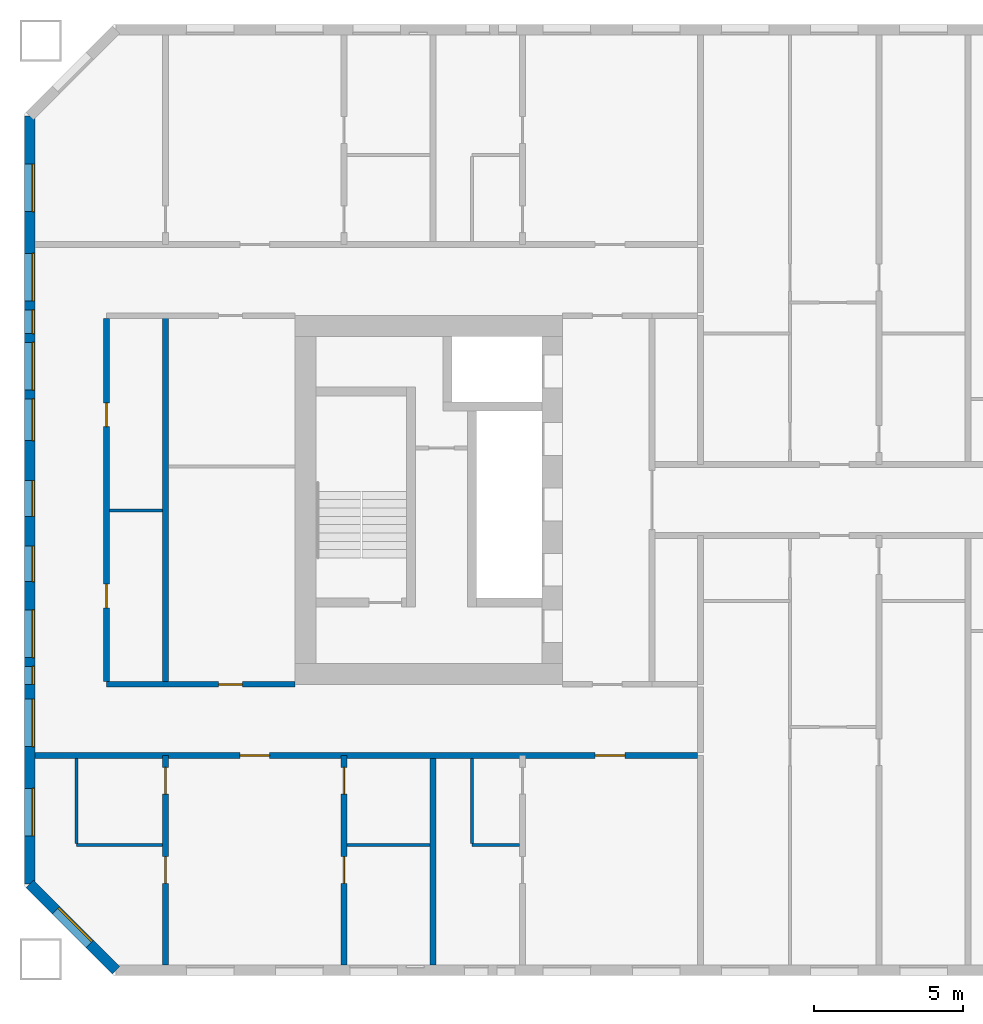
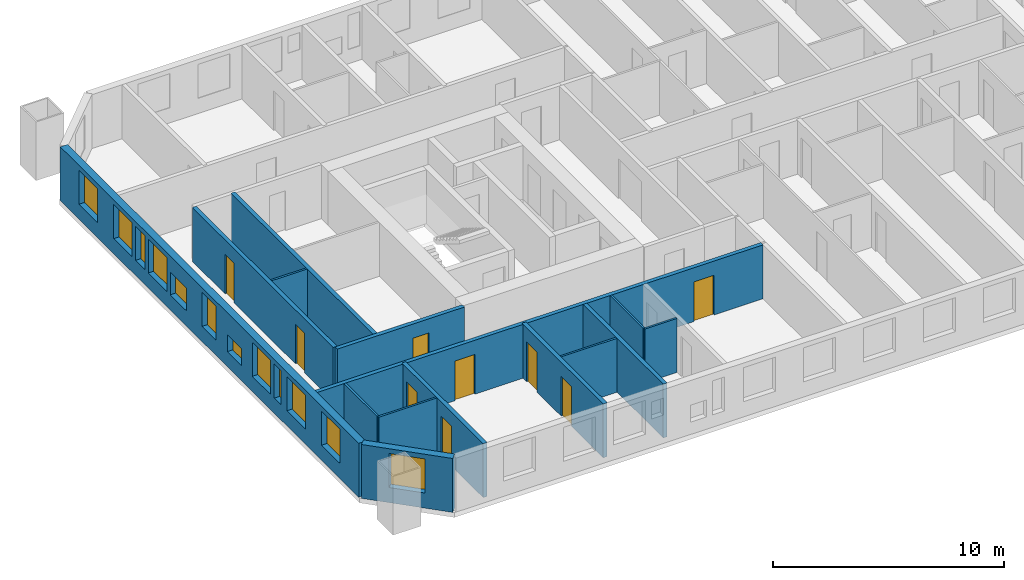
# One storey, part 2 of 17: 15 walls, 12 windows, 9 doors, 21 openings.
"""IFC4 building model written with IfcOpenShell, lengths in metres."""

import ifcopenshell
import ifcopenshell.guid

model = None  # the IFC model being written
_history = None  # IfcOwnerHistory: only IFC2X3 demands one
_inside = {}  # id of a spatial element -> (the spatial element, [elements in it])
_under = {}  # id of a project, library or spatial element -> (it, [spatial elements below it])
_declared = {}  # id of a project -> (the project, [libraries it declares])
_typed = {}  # id of a type object -> (the type object, [elements of that type])
_made_of = {}  # id of a material, layer set ... -> (it, [elements and type objects made of it])


def new_model(schema):
    """Start an empty IFC model of exactly this schema.

    Asked for "IFC4X3", IfcOpenShell would pick the latest addendum, in which some entities
    have other attributes; the version numbers below select the first issue.
    IFC2X3 requires an IfcOwnerHistory on every rooted entity: one is made here for all.
    """
    global model, _history
    if schema == "IFC4X3":
        model = ifcopenshell.file(schema_version=(4, 3, 0, 0))
    else:
        model = ifcopenshell.file(schema=schema)
    _inside.clear()
    _under.clear()
    _declared.clear()
    _typed.clear()
    _made_of.clear()
    _history = None
    if model.schema == "IFC2X3":
        org = make("IfcOrganization", Name="unknown")
        user = make(
            "IfcPersonAndOrganization",
            ThePerson=make("IfcPerson", FamilyName="unknown"),
            TheOrganization=org,
        )
        app = make(
            "IfcApplication",
            ApplicationDeveloper=org,
            Version="unknown",
            ApplicationFullName="unknown",
            ApplicationIdentifier="unknown",
        )
        _history = make(
            "IfcOwnerHistory",
            OwningUser=user,
            OwningApplication=app,
            ChangeAction="ADDED",
            CreationDate=0,
        )
    return model


def make(cls, **values):
    """One entity of the class cls with the attributes given. An attribute that is None is left unset."""
    return model.create_entity(
        cls, **{name: value for name, value in values.items() if value is not None}
    )


def rooted(cls, **values):
    """An entity with a GlobalId (a new one), such as an element, a storey or a relation."""
    return make(cls, GlobalId=ifcopenshell.guid.new(), OwnerHistory=_history, **values)


def si_unit(unit_type, name, prefix=None):
    """IfcSIUnit, for example si_unit("LENGTHUNIT", "METRE", prefix="MILLI")."""
    return make("IfcSIUnit", UnitType=unit_type, Prefix=prefix, Name=name)


def assignment(units):
    """IfcUnitAssignment: the units of a project."""
    return None if units is None else make("IfcUnitAssignment", Units=units)


def point(xyz):
    """IfcCartesianPoint."""
    return None if xyz is None else make("IfcCartesianPoint", Coordinates=xyz)


def direction(xyz):
    """IfcDirection."""
    return None if xyz is None else make("IfcDirection", DirectionRatios=xyz)


def frame(location, z_axis=None, x_axis=None):
    """IfcAxis2Placement3D, a coordinate frame: its origin and axes. An axis left out is left unset."""
    return make(
        "IfcAxis2Placement3D",
        Location=point(location),
        Axis=direction(z_axis),
        RefDirection=direction(x_axis),
    )


def frame_2d(location, x_axis=None):
    """IfcAxis2Placement2D, a coordinate frame in the plane: its origin and x axis."""
    return make(
        "IfcAxis2Placement2D", Location=point(location), RefDirection=direction(x_axis)
    )


def origin():
    """The frame at (0, 0, 0) with its axes left unset."""
    return frame((0.0, 0.0, 0.0))


def place(relative_to, where):
    """IfcLocalPlacement: puts the frame where relative to a parent placement (None: the world)."""
    return make(
        "IfcLocalPlacement", PlacementRelTo=relative_to, RelativePlacement=where
    )


def context(
    kind, dimensions, precision=None, world=None, true_north=None, identifier=None
):
    """IfcGeometricRepresentationContext, for example the 3D "Model" context."""
    return make(
        "IfcGeometricRepresentationContext",
        ContextIdentifier=identifier,
        ContextType=kind,
        CoordinateSpaceDimension=dimensions,
        Precision=precision,
        WorldCoordinateSystem=world,
        TrueNorth=true_north,
    )


def subcontext(parent, identifier, kind, view, scale=None):
    """IfcGeometricRepresentationSubContext, for example "Body" below "Model"."""
    return make(
        "IfcGeometricRepresentationSubContext",
        ContextIdentifier=identifier,
        ContextType=kind,
        ParentContext=parent,
        TargetScale=scale,
        TargetView=view,
    )


def project(units=None, contexts=None):
    """IfcProject with its units and contexts."""
    return rooted(
        "IfcProject",
        Name="project",
        RepresentationContexts=contexts,
        UnitsInContext=assignment(units),
    )


def spatial(cls, under=None, at=None, **own):
    """A site, building, storey or space (cls), placed at a placement, below another one or the project."""
    s = rooted(cls, ObjectPlacement=at, **own)
    if under is not None:
        _under.setdefault(under.id(), (under, []))[1].append(s)
    return s


def profile(cls, at=None, kind="AREA", **sizes):
    """A parametric profile (cls). Its sizes go by their IFC names, for example OverallWidth=200.0."""
    return make(cls, ProfileType=kind, Position=at, **sizes)


def rectangle(**sizes):
    """IfcRectangleProfileDef."""
    return profile("IfcRectangleProfileDef", **sizes)


def extrude(swept, where, along, depth):
    """IfcExtrudedAreaSolid: the profile swept, set in the frame where, extruded along a direction by depth."""
    return make(
        "IfcExtrudedAreaSolid",
        SweptArea=swept,
        Position=where,
        ExtrudedDirection=direction(along),
        Depth=depth,
    )


def shape(context_of_items, identifier, shape_type, items):
    """IfcShapeRepresentation: the items that make up one representation, for example the "Body"."""
    return make(
        "IfcShapeRepresentation",
        ContextOfItems=context_of_items,
        RepresentationIdentifier=identifier,
        RepresentationType=shape_type,
        Items=items,
    )


def material(Name=None, Category=None):
    """IfcMaterial."""
    return make("IfcMaterial", Name=Name, Category=Category)


def layer(
    of_material, thickness, ventilated=None, Name=None, Category=None, Priority=None
):
    """IfcMaterialLayer: one layer of a wall or slab, of a material (None: an air gap)."""
    return make(
        "IfcMaterialLayer",
        Material=of_material,
        LayerThickness=thickness,
        IsVentilated=ventilated,
        Name=Name,
        Category=Category,
        Priority=Priority,
    )


def layer_set(layers, Name=None):
    """IfcMaterialLayerSet."""
    return make("IfcMaterialLayerSet", MaterialLayers=layers, LayerSetName=Name)


def made_of(thing, what):
    """Note that an element or type object is made of a material, layer set ...; save() writes the relation."""
    if what is not None:
        _made_of.setdefault(what.id(), (what, []))[1].append(thing)
    return thing


def type_object(cls, material=None, **own):
    """A type object (cls), such as IfcWallType, which elements share."""
    return made_of(rooted(cls, **own), material)


def element(
    cls,
    number,
    at=None,
    inside=None,
    cuts=None,
    type_object=None,
    material=None,
    context=None,
    identifier="Body",
    shape_type=None,
    held_by="IfcProductDefinitionShape",
    body=None,
    shapes=None,
    **own,
):
    """One element of the class cls, such as IfcWall. Its Tag is "e" and its number.

    at: its placement. inside: the storey or other place that contains it. cuts: it is an
    opening in that element (IfcRelVoidsElement). A single representation is given by context,
    identifier, shape_type and body (its items); several are given by shapes. held_by: the class
    of the entity that holds the representations. save() writes the other relations.
    """
    e = rooted(cls, Tag="e%d" % number, ObjectPlacement=at, **own)
    if body is not None:
        shapes = [shape(context, identifier, shape_type, body)]
    if shapes is not None:
        e.Representation = make(held_by, Representations=shapes)
    if inside is not None:
        _inside.setdefault(inside.id(), (inside, []))[1].append(e)
    if cuts is not None:
        rooted(
            "IfcRelVoidsElement", RelatingBuildingElement=cuts, RelatedOpeningElement=e
        )
    if type_object is not None:
        _typed.setdefault(type_object.id(), (type_object, []))[1].append(e)
    return made_of(e, material)


def fill(opening, filler):
    """IfcRelFillsElement: the door or window that sits in an opening."""
    return rooted(
        "IfcRelFillsElement",
        RelatingOpeningElement=opening,
        RelatedBuildingElement=filler,
    )


def aggregate(whole, parts):
    """IfcRelAggregates: a whole, such as a stair, and the parts it consists of."""
    return rooted("IfcRelAggregates", RelatingObject=whole, RelatedObjects=parts)


def save(model, path):
    """Write the relations noted so far, then the file.

    IfcRelAggregates (storeys below a building ...), IfcRelContainedInSpatialStructure (elements
    in a storey), IfcRelDefinesByType, IfcRelAssociatesMaterial and IfcRelDeclares: one each for
    every whole, place, type object, material and project.
    """
    for whole, parts in _under.values():
        aggregate(whole, parts)
    for where, things in _inside.values():
        rooted(
            "IfcRelContainedInSpatialStructure",
            RelatedElements=things,
            RelatingStructure=where,
        )
    for kind, things in _typed.values():
        rooted("IfcRelDefinesByType", RelatedObjects=things, RelatingType=kind)
    for what, things in _made_of.values():
        rooted("IfcRelAssociatesMaterial", RelatedObjects=things, RelatingMaterial=what)
    for by, libraries in _declared.values():
        rooted("IfcRelDeclares", RelatingContext=by, RelatedDefinitions=libraries)
    model.write(path)


model = new_model("IFC4")

# Units and contexts
model_context = context("Model", 3, precision=1e-05, world=origin(), true_north=direction((0.0, 1.0)))
body_context = subcontext(model_context, "Body", "Model", "MODEL_VIEW")
ifc_project = project(units=[si_unit("LENGTHUNIT", "METRE"), si_unit("AREAUNIT", "SQUARE_METRE"), si_unit("VOLUMEUNIT", "CUBIC_METRE"), si_unit("PLANEANGLEUNIT", "RADIAN"), si_unit("MASSUNIT", "GRAM", prefix="KILO")], contexts=[model_context])

# Site, building, storey
site_placement = place(None, origin())
site = spatial("IfcSite", under=ifc_project, at=site_placement, CompositionType="ELEMENT")
building_placement = place(site_placement, origin())
building = spatial("IfcBuilding", under=site, at=building_placement, Name="Tuart Gate Housing", CompositionType="ELEMENT")
storey_placement = place(building_placement, frame((0.0, 0.0, 77.800048828125)))
storey = spatial("IfcBuildingStorey", under=building, at=storey_placement, Name="L21", CompositionType="ELEMENT", Elevation=77.800048828125)

# Wall, opening, window
ifc_material_1 = material(Name="Brick", Category="masonry")
ifc_layer_1 = layer(ifc_material_1, 0.360107421875)
ifc_layer_set_1 = layer_set([ifc_layer_1], Name="Brick pier and spandrel wall 360")
wall_type_1 = type_object("IfcWallType", Name="Brick pier and spandrel wall 360", PredefinedType="STANDARD", material=ifc_layer_set_1)
wall_1_placement = place(storey_placement, frame((23.429931640625, 57.07470703125, 0.0), z_axis=(0.0, 0.0, 1.0), x_axis=(0.707106781187, -0.707106781187, 0.0)))
wall_1 = element("IfcWall", 1, at=wall_1_placement, inside=storey, type_object=wall_type_1, Name="External wall A-SW L21", PredefinedType="STANDARD", context=body_context, shape_type="SweptSolid", body=[
    extrude(rectangle(XDim=4.09375, YDim=0.360107421875, at=frame_2d((2.046875, 0.0))), origin(), (0.0, 0.0, 1.0), 2.849853515625),
])
opening_1_placement = place(wall_1_placement, frame((1.2470703125, 0.0, 0.800048828125)))
opening_1 = element("IfcOpeningElement", 2, at=opening_1_placement, cuts=wall_1, Name="Opening W1", PredefinedType="OPENING", context=body_context, shape_type="SweptSolid", body=[
    extrude(rectangle(XDim=1.60009765625, YDim=1.800048828125, at=frame_2d((0.800048828125, 0.89990234375))), frame((0.0, 0.18994140625, 0.0), z_axis=(0.0, -1.0, 0.0), x_axis=(1.0, 0.0, 0.0)), (0.0, 0.0, 1.0), 0.380126953125),
])
ifc_material_2 = material(Name="Aluminium frame with clear glass", Category="aluminium")
window_type_1 = type_object("IfcWindowType", Name="Punched window 1600 x 1800", PartitioningType="SINGLE_PANEL", PredefinedType="WINDOW", material=ifc_material_2)
window_1_placement = place(opening_1_placement, origin())
window_1 = element("IfcWindow", 3, at=window_1_placement, inside=storey, type_object=window_type_1, Name="Window W1", OverallHeight=1.800048828125, OverallWidth=1.60009765625, PartitioningType="SINGLE_PANEL", PredefinedType="WINDOW", context=body_context, shape_type="SweptSolid", body=[
    extrude(rectangle(XDim=1.60009765625, YDim=1.800048828125, at=frame_2d((0.800048828125, 0.89990234375))), frame((0.0, 0.150146484375, 0.0), z_axis=(0.0, -1.0, 0.0), x_axis=(1.0, 0.0, 0.0)), (0.0, 0.0, 1.0), 0.06005859375),
])
fill(opening_1, window_1)

# Wall, openings, windows
wall_2_placement = place(storey_placement, frame((23.429931640625, 82.92529296875, 0.0), z_axis=(0.0, 0.0, 1.0), x_axis=(0.0, -1.0, 0.0)))
wall_2 = element("IfcWall", 4, at=wall_2_placement, inside=storey, type_object=wall_type_1, Name="External wall A-W L21", PredefinedType="STANDARD", context=body_context, shape_type="SweptSolid", body=[
    extrude(rectangle(XDim=25.850830078125, YDim=0.360107421875, at=frame_2d((12.92529296875, 0.0))), origin(), (0.0, 0.0, 1.0), 2.849853515625),
])
opening_2_placement = place(wall_2_placement, frame((1.62548828125, 0.0, 0.800048828125)))
opening_2 = element("IfcOpeningElement", 5, at=opening_2_placement, cuts=wall_2, Name="Opening W1", PredefinedType="OPENING", context=body_context, shape_type="SweptSolid", body=[
    extrude(rectangle(XDim=1.60009765625, YDim=1.800048828125, at=frame_2d((0.800048828125, 0.89990234375))), frame((0.0, 0.18994140625, 0.0), z_axis=(0.0, -1.0, 0.0), x_axis=(1.0, 0.0, 0.0)), (0.0, 0.0, 1.0), 0.380126953125),
])
opening_3_placement = place(wall_2_placement, frame((4.62548828125, 0.0, 0.800048828125)))
opening_3 = element("IfcOpeningElement", 6, at=opening_3_placement, cuts=wall_2, Name="Opening W1", PredefinedType="OPENING", context=body_context, shape_type="SweptSolid", body=[
    extrude(rectangle(XDim=1.60009765625, YDim=1.800048828125, at=frame_2d((0.800048828125, 0.89990234375))), frame((0.0, 0.18994140625, 0.0), z_axis=(0.0, -1.0, 0.0), x_axis=(1.0, 0.0, 0.0)), (0.0, 0.0, 1.0), 0.380126953125),
])
opening_4_placement = place(wall_2_placement, frame((7.62548828125, 0.0, 0.800048828125)))
opening_4 = element("IfcOpeningElement", 7, at=opening_4_placement, cuts=wall_2, Name="Opening W1", PredefinedType="OPENING", context=body_context, shape_type="SweptSolid", body=[
    extrude(rectangle(XDim=1.60009765625, YDim=1.800048828125, at=frame_2d((0.800048828125, 0.89990234375))), frame((0.0, 0.18994140625, 0.0), z_axis=(0.0, -1.0, 0.0), x_axis=(1.0, 0.0, 0.0)), (0.0, 0.0, 1.0), 0.380126953125),
])
opening_5_placement = place(wall_2_placement, frame((6.525390625, 0.0, 0.800048828125)))
opening_5 = element("IfcOpeningElement", 8, at=opening_5_placement, cuts=wall_2, Name="Opening W1D", PredefinedType="OPENING", context=body_context, shape_type="SweptSolid", body=[
    extrude(rectangle(XDim=0.800048828125, YDim=1.800048828125, at=frame_2d((0.39990234375, 0.89990234375))), frame((0.0, 0.18994140625, 0.0), z_axis=(0.0, -1.0, 0.0), x_axis=(1.0, 0.0, 0.0)), (0.0, 0.0, 1.0), 0.380126953125),
])
opening_6_placement = place(wall_2_placement, frame((9.525390625, 0.0, 0.800048828125)))
opening_6 = element("IfcOpeningElement", 9, at=opening_6_placement, cuts=wall_2, Name="Opening W1M", PredefinedType="OPENING", context=body_context, shape_type="SweptSolid", body=[
    extrude(rectangle(XDim=1.39990234375, YDim=1.199951171875, at=frame_2d((0.699951171875, 0.60009765625))), frame((0.0, 0.18994140625, 0.0), z_axis=(0.0, -1.0, 0.0), x_axis=(1.0, 0.0, 0.0)), (0.0, 0.0, 1.0), 0.380126953125),
])
opening_7_placement = place(wall_2_placement, frame((16.62548828125, 0.0, 0.800048828125)))
opening_7 = element("IfcOpeningElement", 10, at=opening_7_placement, cuts=wall_2, Name="Opening W1", PredefinedType="OPENING", context=body_context, shape_type="SweptSolid", body=[
    extrude(rectangle(XDim=1.60009765625, YDim=1.800048828125, at=frame_2d((0.800048828125, 0.89990234375))), frame((0.0, 0.18994140625, 0.0), z_axis=(0.0, -1.0, 0.0), x_axis=(1.0, 0.0, 0.0)), (0.0, 0.0, 1.0), 0.380126953125),
])
opening_8_placement = place(wall_2_placement, frame((19.62548828125, 0.0, 0.800048828125)))
opening_8 = element("IfcOpeningElement", 11, at=opening_8_placement, cuts=wall_2, Name="Opening W1", PredefinedType="OPENING", context=body_context, shape_type="SweptSolid", body=[
    extrude(rectangle(XDim=1.60009765625, YDim=1.800048828125, at=frame_2d((0.800048828125, 0.89990234375))), frame((0.0, 0.18994140625, 0.0), z_axis=(0.0, -1.0, 0.0), x_axis=(1.0, 0.0, 0.0)), (0.0, 0.0, 1.0), 0.380126953125),
])
opening_9_placement = place(wall_2_placement, frame((22.62548828125, 0.0, 0.800048828125)))
opening_9 = element("IfcOpeningElement", 12, at=opening_9_placement, cuts=wall_2, Name="Opening W1", PredefinedType="OPENING", context=body_context, shape_type="SweptSolid", body=[
    extrude(rectangle(XDim=1.60009765625, YDim=1.800048828125, at=frame_2d((0.800048828125, 0.89990234375))), frame((0.0, 0.18994140625, 0.0), z_axis=(0.0, -1.0, 0.0), x_axis=(1.0, 0.0, 0.0)), (0.0, 0.0, 1.0), 0.380126953125),
])
opening_10_placement = place(wall_2_placement, frame((12.275390625, 0.0, 0.800048828125)))
opening_10 = element("IfcOpeningElement", 13, at=opening_10_placement, cuts=wall_2, Name="Opening W1B", PredefinedType="OPENING", context=body_context, shape_type="SweptSolid", body=[
    extrude(rectangle(XDim=1.199951171875, YDim=1.800048828125, at=frame_2d((0.60009765625, 0.89990234375))), frame((0.0, 0.18994140625, 0.0), z_axis=(0.0, -1.0, 0.0), x_axis=(1.0, 0.0, 0.0)), (0.0, 0.0, 1.0), 0.380126953125),
])
opening_11_placement = place(wall_2_placement, frame((14.475341796875, 0.0, 0.800048828125)))
opening_11 = element("IfcOpeningElement", 14, at=opening_11_placement, cuts=wall_2, Name="Opening W1T", PredefinedType="OPENING", context=body_context, shape_type="SweptSolid", body=[
    extrude(rectangle(XDim=1.199951171875, YDim=0.89990234375, at=frame_2d((0.60009765625, 0.449951171875))), frame((0.0, 0.18994140625, 0.0), z_axis=(0.0, -1.0, 0.0), x_axis=(1.0, 0.0, 0.0)), (0.0, 0.0, 1.0), 0.380126953125),
])
opening_12_placement = place(wall_2_placement, frame((18.525390625, 0.0, 0.800048828125)))
opening_12 = element("IfcOpeningElement", 15, at=opening_12_placement, cuts=wall_2, Name="Opening W1E", PredefinedType="OPENING", context=body_context, shape_type="SweptSolid", body=[
    extrude(rectangle(XDim=0.60009765625, YDim=1.800048828125, at=frame_2d((0.300048828125, 0.89990234375))), frame((0.0, 0.18994140625, 0.0), z_axis=(0.0, -1.0, 0.0), x_axis=(1.0, 0.0, 0.0)), (0.0, 0.0, 1.0), 0.380126953125),
])
ifc_material_3 = material(Name="Aluminium frame with clear glass", Category="aluminium")
window_type_2 = type_object("IfcWindowType", Name="Punched window 1200 x 1800", PartitioningType="SINGLE_PANEL", PredefinedType="WINDOW", material=ifc_material_3)
window_2_placement = place(opening_10_placement, origin())
window_2 = element("IfcWindow", 16, at=window_2_placement, inside=storey, type_object=window_type_2, Name="Window W1B", OverallHeight=1.800048828125, OverallWidth=1.199951171875, PartitioningType="SINGLE_PANEL", PredefinedType="WINDOW", context=body_context, shape_type="SweptSolid", body=[
    extrude(rectangle(XDim=1.199951171875, YDim=1.800048828125, at=frame_2d((0.60009765625, 0.89990234375))), frame((0.0, 0.150146484375, 0.0), z_axis=(0.0, -1.0, 0.0), x_axis=(1.0, 0.0, 0.0)), (0.0, 0.0, 1.0), 0.06005859375),
])
fill(opening_10, window_2)
ifc_material_4 = material(Name="Aluminium frame with clear glass", Category="aluminium")
window_type_3 = type_object("IfcWindowType", Name="Punched window 1200 x 900", PartitioningType="SINGLE_PANEL", PredefinedType="WINDOW", material=ifc_material_4)
window_3_placement = place(opening_11_placement, origin())
window_3 = element("IfcWindow", 17, at=window_3_placement, inside=storey, type_object=window_type_3, Name="Window W1T", OverallHeight=0.89990234375, OverallWidth=1.199951171875, PartitioningType="SINGLE_PANEL", PredefinedType="WINDOW", context=body_context, shape_type="SweptSolid", body=[
    extrude(rectangle(XDim=1.199951171875, YDim=0.89990234375, at=frame_2d((0.60009765625, 0.449951171875))), frame((0.0, 0.150146484375, 0.0), z_axis=(0.0, -1.0, 0.0), x_axis=(1.0, 0.0, 0.0)), (0.0, 0.0, 1.0), 0.06005859375),
])
fill(opening_11, window_3)
ifc_material_5 = material(Name="Aluminium frame with clear glass", Category="aluminium")
window_type_4 = type_object("IfcWindowType", Name="Punched window 1400 x 1200", PartitioningType="SINGLE_PANEL", PredefinedType="WINDOW", material=ifc_material_5)
window_4_placement = place(opening_6_placement, origin())
window_4 = element("IfcWindow", 18, at=window_4_placement, inside=storey, type_object=window_type_4, Name="Window W1M", OverallHeight=1.199951171875, OverallWidth=1.39990234375, PartitioningType="SINGLE_PANEL", PredefinedType="WINDOW", context=body_context, shape_type="SweptSolid", body=[
    extrude(rectangle(XDim=1.39990234375, YDim=1.199951171875, at=frame_2d((0.699951171875, 0.60009765625))), frame((0.0, 0.150146484375, 0.0), z_axis=(0.0, -1.0, 0.0), x_axis=(1.0, 0.0, 0.0)), (0.0, 0.0, 1.0), 0.06005859375),
])
fill(opening_6, window_4)
window_5_placement = place(opening_2_placement, origin())
window_5 = element("IfcWindow", 19, at=window_5_placement, inside=storey, type_object=window_type_1, Name="Window W1", OverallHeight=1.800048828125, OverallWidth=1.60009765625, PartitioningType="SINGLE_PANEL", PredefinedType="WINDOW", context=body_context, shape_type="SweptSolid", body=[
    extrude(rectangle(XDim=1.60009765625, YDim=1.800048828125, at=frame_2d((0.800048828125, 0.89990234375))), frame((0.0, 0.150146484375, 0.0), z_axis=(0.0, -1.0, 0.0), x_axis=(1.0, 0.0, 0.0)), (0.0, 0.0, 1.0), 0.06005859375),
])
fill(opening_2, window_5)
window_6_placement = place(opening_3_placement, origin())
window_6 = element("IfcWindow", 20, at=window_6_placement, inside=storey, type_object=window_type_1, Name="Window W1", OverallHeight=1.800048828125, OverallWidth=1.60009765625, PartitioningType="SINGLE_PANEL", PredefinedType="WINDOW", context=body_context, shape_type="SweptSolid", body=[
    extrude(rectangle(XDim=1.60009765625, YDim=1.800048828125, at=frame_2d((0.800048828125, 0.89990234375))), frame((0.0, 0.150146484375, 0.0), z_axis=(0.0, -1.0, 0.0), x_axis=(1.0, 0.0, 0.0)), (0.0, 0.0, 1.0), 0.06005859375),
])
fill(opening_3, window_6)
window_7_placement = place(opening_4_placement, origin())
window_7 = element("IfcWindow", 21, at=window_7_placement, inside=storey, type_object=window_type_1, Name="Window W1", OverallHeight=1.800048828125, OverallWidth=1.60009765625, PartitioningType="SINGLE_PANEL", PredefinedType="WINDOW", context=body_context, shape_type="SweptSolid", body=[
    extrude(rectangle(XDim=1.60009765625, YDim=1.800048828125, at=frame_2d((0.800048828125, 0.89990234375))), frame((0.0, 0.150146484375, 0.0), z_axis=(0.0, -1.0, 0.0), x_axis=(1.0, 0.0, 0.0)), (0.0, 0.0, 1.0), 0.06005859375),
])
fill(opening_4, window_7)
window_8_placement = place(opening_7_placement, origin())
window_8 = element("IfcWindow", 22, at=window_8_placement, inside=storey, type_object=window_type_1, Name="Window W1", OverallHeight=1.800048828125, OverallWidth=1.60009765625, PartitioningType="SINGLE_PANEL", PredefinedType="WINDOW", context=body_context, shape_type="SweptSolid", body=[
    extrude(rectangle(XDim=1.60009765625, YDim=1.800048828125, at=frame_2d((0.800048828125, 0.89990234375))), frame((0.0, 0.150146484375, 0.0), z_axis=(0.0, -1.0, 0.0), x_axis=(1.0, 0.0, 0.0)), (0.0, 0.0, 1.0), 0.06005859375),
])
fill(opening_7, window_8)
window_9_placement = place(opening_8_placement, origin())
window_9 = element("IfcWindow", 23, at=window_9_placement, inside=storey, type_object=window_type_1, Name="Window W1", OverallHeight=1.800048828125, OverallWidth=1.60009765625, PartitioningType="SINGLE_PANEL", PredefinedType="WINDOW", context=body_context, shape_type="SweptSolid", body=[
    extrude(rectangle(XDim=1.60009765625, YDim=1.800048828125, at=frame_2d((0.800048828125, 0.89990234375))), frame((0.0, 0.150146484375, 0.0), z_axis=(0.0, -1.0, 0.0), x_axis=(1.0, 0.0, 0.0)), (0.0, 0.0, 1.0), 0.06005859375),
])
fill(opening_8, window_9)
window_10_placement = place(opening_9_placement, origin())
window_10 = element("IfcWindow", 24, at=window_10_placement, inside=storey, type_object=window_type_1, Name="Window W1", OverallHeight=1.800048828125, OverallWidth=1.60009765625, PartitioningType="SINGLE_PANEL", PredefinedType="WINDOW", context=body_context, shape_type="SweptSolid", body=[
    extrude(rectangle(XDim=1.60009765625, YDim=1.800048828125, at=frame_2d((0.800048828125, 0.89990234375))), frame((0.0, 0.150146484375, 0.0), z_axis=(0.0, -1.0, 0.0), x_axis=(1.0, 0.0, 0.0)), (0.0, 0.0, 1.0), 0.06005859375),
])
fill(opening_9, window_10)
ifc_material_6 = material(Name="Aluminium frame with clear glass", Category="aluminium")
window_type_5 = type_object("IfcWindowType", Name="Punched window 600 x 1800", PartitioningType="SINGLE_PANEL", PredefinedType="WINDOW", material=ifc_material_6)
window_11_placement = place(opening_12_placement, origin())
window_11 = element("IfcWindow", 25, at=window_11_placement, inside=storey, type_object=window_type_5, Name="Window W1E", OverallHeight=1.800048828125, OverallWidth=0.60009765625, PartitioningType="SINGLE_PANEL", PredefinedType="WINDOW", context=body_context, shape_type="SweptSolid", body=[
    extrude(rectangle(XDim=0.60009765625, YDim=1.800048828125, at=frame_2d((0.300048828125, 0.89990234375))), frame((0.0, 0.150146484375, 0.0), z_axis=(0.0, -1.0, 0.0), x_axis=(1.0, 0.0, 0.0)), (0.0, 0.0, 1.0), 0.06005859375),
])
fill(opening_12, window_11)
ifc_material_7 = material(Name="Aluminium frame with clear glass", Category="aluminium")
window_type_6 = type_object("IfcWindowType", Name="Punched window 800 x 1800", PartitioningType="SINGLE_PANEL", PredefinedType="WINDOW", material=ifc_material_7)
window_12_placement = place(opening_5_placement, origin())
window_12 = element("IfcWindow", 26, at=window_12_placement, inside=storey, type_object=window_type_6, Name="Window W1D", OverallHeight=1.800048828125, OverallWidth=0.800048828125, PartitioningType="SINGLE_PANEL", PredefinedType="WINDOW", context=body_context, shape_type="SweptSolid", body=[
    extrude(rectangle(XDim=0.800048828125, YDim=1.800048828125, at=frame_2d((0.39990234375, 0.89990234375))), frame((0.0, 0.150146484375, 0.0), z_axis=(0.0, -1.0, 0.0), x_axis=(1.0, 0.0, 0.0)), (0.0, 0.0, 1.0), 0.06005859375),
])
fill(opening_5, window_12)

# Wall, openings, doors
ifc_material_8 = material(Name="Concrete masonry 15 MPa", Category="masonry")
ifc_layer_2 = layer(ifc_material_8, 0.199951171875)
ifc_layer_set_2 = layer_set([ifc_layer_2], Name="Corridor wall masonry 200")
wall_type_2 = type_object("IfcWallType", Name="Corridor wall masonry 200", PredefinedType="PARTITIONING", material=ifc_layer_set_2)
wall_3_placement = place(storey_placement, frame((23.610107421875, 61.39990234375, 0.0), z_axis=(0.0, 0.0, 1.0), x_axis=(1.0, 0.0, 0.0)))
wall_3 = element("IfcWall", 27, at=wall_3_placement, inside=storey, type_object=wall_type_2, Name="Corridor wall masonry 200", PredefinedType="PARTITIONING", context=body_context, shape_type="SweptSolid", body=[
    extrude(rectangle(XDim=22.289794921875, YDim=0.199951171875, at=frame_2d((11.14501953125, 0.0))), origin(), (0.0, 0.0, 1.0), 2.849853515625),
])
opening_13_placement = place(wall_3_placement, frame((18.840087890625, 0.0, 0.0)))
opening_13 = element("IfcOpeningElement", 28, at=opening_13_placement, cuts=wall_3, Name="Opening D885", PredefinedType="OPENING", context=body_context, shape_type="SweptSolid", body=[
    extrude(rectangle(XDim=1.0, YDim=2.10009765625, at=frame_2d((0.5, 1.050048828125))), frame((0.0, 0.10986328125, 0.0), z_axis=(0.0, -1.0, 0.0), x_axis=(1.0, 0.0, 0.0)), (0.0, 0.0, 1.0), 0.219970703125),
])
opening_14_placement = place(wall_3_placement, frame((6.889892578125, 0.0, 0.0)))
opening_14 = element("IfcOpeningElement", 29, at=opening_14_placement, cuts=wall_3, Name="Opening D886", PredefinedType="OPENING", context=body_context, shape_type="SweptSolid", body=[
    extrude(rectangle(XDim=1.0, YDim=2.10009765625, at=frame_2d((0.5, 1.050048828125))), frame((0.0, 0.10986328125, 0.0), z_axis=(0.0, -1.0, 0.0), x_axis=(1.0, 0.0, 0.0)), (0.0, 0.0, 1.0), 0.219970703125),
])
ifc_material_9 = material(Name="Timber door leaf in steel frame", Category="steel")
door_type_1 = type_object("IfcDoorType", Name="Flat entrance door 1000 RH", OperationType="SINGLE_SWING_RIGHT", PredefinedType="DOOR", material=ifc_material_9)
door_1_placement = place(opening_13_placement, frame((1.0, 0.0, 0.0), z_axis=(0.0, 0.0, 1.0), x_axis=(-1.0, 0.0, 0.0)))
door_1 = element("IfcDoor", 30, at=door_1_placement, inside=storey, type_object=door_type_1, Name="Flat entrance door", OperationType="SINGLE_SWING_RIGHT", OverallHeight=2.10009765625, OverallWidth=1.0, PredefinedType="DOOR", context=body_context, shape_type="SweptSolid", body=[
    extrude(rectangle(XDim=1.0, YDim=2.10009765625, at=frame_2d((0.5, 1.050048828125))), frame((0.0, 0.025146484375, 0.0), z_axis=(0.0, -1.0, 0.0), x_axis=(1.0, 0.0, 0.0)), (0.0, 0.0, 1.0), 0.050048828125),
])
fill(opening_13, door_1)
door_2_placement = place(opening_14_placement, frame((1.0, 0.0, 0.0), z_axis=(0.0, 0.0, 1.0), x_axis=(-1.0, 0.0, 0.0)))
door_2 = element("IfcDoor", 31, at=door_2_placement, inside=storey, type_object=door_type_1, Name="Flat entrance door", OperationType="SINGLE_SWING_RIGHT", OverallHeight=2.10009765625, OverallWidth=1.0, PredefinedType="DOOR", context=body_context, shape_type="SweptSolid", body=[
    extrude(rectangle(XDim=1.0, YDim=2.10009765625, at=frame_2d((0.5, 1.050048828125))), frame((0.0, 0.025146484375, 0.0), z_axis=(0.0, -1.0, 0.0), x_axis=(1.0, 0.0, 0.0)), (0.0, 0.0, 1.0), 0.050048828125),
])
fill(opening_14, door_2)

# Wall, opening, door
wall_4_placement = place(storey_placement, frame((26.010009765625, 63.800048828125, 0.0), z_axis=(0.0, 0.0, 1.0), x_axis=(1.0, 0.0, 0.0)))
wall_4 = element("IfcWall", 32, at=wall_4_placement, inside=storey, type_object=wall_type_2, Name="Corridor wall masonry 200", PredefinedType="PARTITIONING", context=body_context, shape_type="SweptSolid", body=[
    extrude(rectangle(XDim=6.35009765625, YDim=0.199951171875, at=frame_2d((3.175048828125, 0.0))), origin(), (0.0, 0.0, 1.0), 2.849853515625),
])
opening_15_placement = place(wall_4_placement, frame((3.77001953125, 0.0, 0.0)))
opening_15 = element("IfcOpeningElement", 33, at=opening_15_placement, cuts=wall_4, Name="Opening D872", PredefinedType="OPENING", context=body_context, shape_type="SweptSolid", body=[
    extrude(rectangle(XDim=0.800048828125, YDim=2.10009765625, at=frame_2d((0.39990234375, 1.050048828125))), frame((0.0, 0.10986328125, 0.0), z_axis=(0.0, -1.0, 0.0), x_axis=(1.0, 0.0, 0.0)), (0.0, 0.0, 1.0), 0.219970703125),
])
ifc_material_10 = material(Name="Timber door leaf in steel frame", Category="steel")
door_type_2 = type_object("IfcDoorType", Name="Store door 800", OperationType="SINGLE_SWING_LEFT", PredefinedType="DOOR", material=ifc_material_10)
door_3_placement = place(opening_15_placement, origin())
door_3 = element("IfcDoor", 34, at=door_3_placement, inside=storey, type_object=door_type_2, Name="Store door", OperationType="SINGLE_SWING_LEFT", OverallHeight=2.10009765625, OverallWidth=0.800048828125, PredefinedType="DOOR", context=body_context, shape_type="SweptSolid", body=[
    extrude(rectangle(XDim=0.800048828125, YDim=2.10009765625, at=frame_2d((0.39990234375, 1.050048828125))), frame((0.0, 0.02490234375, 0.0), z_axis=(0.0, -1.0, 0.0), x_axis=(1.0, 0.0, 0.0)), (0.0, 0.0, 1.0), 0.050048828125),
])
fill(opening_15, door_3)

# Wall, openings, doors
wall_5_placement = place(storey_placement, frame((26.010009765625, 63.89990234375, 0.0), z_axis=(0.0, 0.0, 1.0), x_axis=(0.0, 1.0, 0.0)))
wall_5 = element("IfcWall", 35, at=wall_5_placement, inside=storey, type_object=wall_type_2, Name="Corridor wall masonry 200", PredefinedType="PARTITIONING", context=body_context, shape_type="SweptSolid", body=[
    extrude(rectangle(XDim=12.2001953125, YDim=0.199951171875, at=frame_2d((6.10009765625, 0.0))), origin(), (0.0, 0.0, 1.0), 2.849853515625),
])
opening_16_placement = place(wall_5_placement, frame((2.469970703125, 0.0, 0.0)))
opening_16 = element("IfcOpeningElement", 36, at=opening_16_placement, cuts=wall_5, Name="Opening D861", PredefinedType="OPENING", context=body_context, shape_type="SweptSolid", body=[
    extrude(rectangle(XDim=0.800048828125, YDim=2.10009765625, at=frame_2d((0.39990234375, 1.050048828125))), frame((0.0, 0.10986328125, 0.0), z_axis=(0.0, -1.0, 0.0), x_axis=(1.0, 0.0, 0.0)), (0.0, 0.0, 1.0), 0.219970703125),
])
opening_17_placement = place(wall_5_placement, frame((8.570068359375, 0.0, 0.0)))
opening_17 = element("IfcOpeningElement", 37, at=opening_17_placement, cuts=wall_5, Name="Opening D862", PredefinedType="OPENING", context=body_context, shape_type="SweptSolid", body=[
    extrude(rectangle(XDim=0.800048828125, YDim=2.10009765625, at=frame_2d((0.39990234375, 1.050048828125))), frame((0.0, 0.10986328125, 0.0), z_axis=(0.0, -1.0, 0.0), x_axis=(1.0, 0.0, 0.0)), (0.0, 0.0, 1.0), 0.219970703125),
])
door_4_placement = place(opening_16_placement, frame((0.800048828125, 0.0, 0.0), z_axis=(0.0, 0.0, 1.0), x_axis=(-1.0, 0.0, 0.0)))
door_4 = element("IfcDoor", 38, at=door_4_placement, inside=storey, type_object=door_type_2, Name="Store door", OperationType="SINGLE_SWING_LEFT", OverallHeight=2.10009765625, OverallWidth=0.800048828125, PredefinedType="DOOR", context=body_context, shape_type="SweptSolid", body=[
    extrude(rectangle(XDim=0.800048828125, YDim=2.10009765625, at=frame_2d((0.400146484375, 1.050048828125))), frame((0.0, 0.025146484375, 0.0), z_axis=(0.0, -1.0, 0.0), x_axis=(1.0, 0.0, 0.0)), (0.0, 0.0, 1.0), 0.050048828125),
])
fill(opening_16, door_4)
ifc_material_11 = material(Name="Timber door leaf in steel frame", Category="steel")
door_type_3 = type_object("IfcDoorType", Name="Store door 800 RH", OperationType="SINGLE_SWING_RIGHT", PredefinedType="DOOR", material=ifc_material_11)
door_5_placement = place(opening_17_placement, frame((0.800048828125, 0.0, 0.0), z_axis=(0.0, 0.0, 1.0), x_axis=(-1.0, 0.0, 0.0)))
door_5 = element("IfcDoor", 39, at=door_5_placement, inside=storey, type_object=door_type_3, Name="Store door", OperationType="SINGLE_SWING_RIGHT", OverallHeight=2.10009765625, OverallWidth=0.800048828125, PredefinedType="DOOR", context=body_context, shape_type="SweptSolid", body=[
    extrude(rectangle(XDim=0.800048828125, YDim=2.10009765625, at=frame_2d((0.400146484375, 1.050048828125))), frame((0.0, 0.025146484375, 0.0), z_axis=(0.0, -1.0, 0.0), x_axis=(1.0, 0.0, 0.0)), (0.0, 0.0, 1.0), 0.050048828125),
])
fill(opening_17, door_5)

# Walls
ifc_material_12 = material(Name="Gypsum board on steel studs", Category="steel")
ifc_layer_3 = layer(ifc_material_12, 0.10009765625)
ifc_layer_set_3 = layer_set([ifc_layer_3], Name="Partition 100")
wall_type_3 = type_object("IfcWallType", Name="Partition 100", PredefinedType="PARTITIONING", material=ifc_layer_set_3)
wall_6_placement = place(storey_placement, frame((25.0, 58.39990234375, 0.0), z_axis=(0.0, 0.0, 1.0), x_axis=(1.0, 0.0, 0.0)))
element("IfcWall", 40, at=wall_6_placement, inside=storey, type_object=wall_type_3, Name="Partition 100", PredefinedType="PARTITIONING", context=body_context, shape_type="SweptSolid", body=[
    extrude(rectangle(XDim=2.89990234375, YDim=0.10009765625, at=frame_2d((1.449951171875, 0.0))), origin(), (0.0, 0.0, 1.0), 2.849853515625),
])
wall_7_placement = place(storey_placement, frame((34.10009765625, 58.39990234375, 0.0), z_axis=(0.0, 0.0, 1.0), x_axis=(1.0, 0.0, 0.0)))
element("IfcWall", 41, at=wall_7_placement, inside=storey, type_object=wall_type_3, Name="Partition 100", PredefinedType="PARTITIONING", context=body_context, shape_type="SweptSolid", body=[
    extrude(rectangle(XDim=2.7998046875, YDim=0.10009765625, at=frame_2d((1.39990234375, 0.0))), origin(), (0.0, 0.0, 1.0), 2.849853515625),
])
wall_8_placement = place(storey_placement, frame((38.300048828125, 58.39990234375, 0.0), z_axis=(0.0, 0.0, 1.0), x_axis=(1.0, 0.0, 0.0)))
element("IfcWall", 42, at=wall_8_placement, inside=storey, type_object=wall_type_3, Name="Partition 100", PredefinedType="PARTITIONING", context=body_context, shape_type="SweptSolid", body=[
    extrude(rectangle(XDim=1.599853515625, YDim=0.10009765625, at=frame_2d((0.7998046875, 0.0))), origin(), (0.0, 0.0, 1.0), 2.849853515625),
])
wall_9_placement = place(storey_placement, frame((26.110107421875, 69.639892578125, 0.0), z_axis=(0.0, 0.0, 1.0), x_axis=(1.0, 0.0, 0.0)))
element("IfcWall", 43, at=wall_9_placement, inside=storey, type_object=wall_type_3, Name="Partition 100", PredefinedType="PARTITIONING", context=body_context, shape_type="SweptSolid", body=[
    extrude(rectangle(XDim=1.789794921875, YDim=0.10009765625, at=frame_2d((0.89501953125, 0.0))), origin(), (0.0, 0.0, 1.0), 2.849853515625),
])
for number, where, z_axis, x_axis, name in (
    (44, (25.0, 58.449951171875, 0.0), (0.0, 0.0, 1.0), (0.0, 1.0, 0.0), "Partition 100"),
    (45, (38.300048828125, 58.449951171875, 0.0), (0.0, 0.0, 1.0), (0.0, 1.0, 0.0), "Partition 100"),
):
    element("IfcWall", number, at=place(storey_placement, frame(where, z_axis=z_axis, x_axis=x_axis)), inside=storey, type_object=wall_type_3, Name=name, PredefinedType="PARTITIONING", context=body_context, shape_type="SweptSolid", body=[
        extrude(rectangle(XDim=2.85009765625, YDim=0.10009765625, at=frame_2d((1.425048828125, 0.0))), origin(), (0.0, 0.0, 1.0), 2.849853515625),
    ])

# Wall, openings, doors
ifc_material_13 = material(Name="Concrete C40", Category="concrete")
ifc_layer_4 = layer(ifc_material_13, 0.199951171875)
ifc_layer_set_4 = layer_set([ifc_layer_4], Name="Party wall concrete C40 200")
wall_type_4 = type_object("IfcWallType", Name="Party wall concrete C40 200", PredefinedType="SOLIDWALL", material=ifc_layer_set_4)
wall_10_placement = place(storey_placement, frame((28.0, 54.360107421875, 0.0), z_axis=(0.0, 0.0, 1.0), x_axis=(0.0, 1.0, 0.0)))
wall_10 = element("IfcWall", 46, at=wall_10_placement, inside=storey, type_object=wall_type_4, Name="Party wall concrete C40 200", PredefinedType="SOLIDWALL", context=body_context, shape_type="SweptSolid", body=[
    extrude(rectangle(XDim=7.039794921875, YDim=0.199951171875, at=frame_2d((3.52001953125, 0.0))), origin(), (0.0, 0.0, 1.0), 2.849853515625),
])
opening_18_placement = place(wall_10_placement, frame((2.739990234375, 0.0, 0.0)))
opening_18 = element("IfcOpeningElement", 47, at=opening_18_placement, cuts=wall_10, Name="Opening D892", PredefinedType="OPENING", context=body_context, shape_type="SweptSolid", body=[
    extrude(rectangle(XDim=0.89990234375, YDim=2.10009765625, at=frame_2d((0.449951171875, 1.050048828125))), frame((0.0, 0.10986328125, 0.0), z_axis=(0.0, -1.0, 0.0), x_axis=(1.0, 0.0, 0.0)), (0.0, 0.0, 1.0), 0.219970703125),
])
opening_19_placement = place(wall_10_placement, frame((5.739990234375, 0.0, 0.0)))
opening_19 = element("IfcOpeningElement", 48, at=opening_19_placement, cuts=wall_10, Name="Opening D891", PredefinedType="OPENING", context=body_context, shape_type="SweptSolid", body=[
    extrude(rectangle(XDim=0.89990234375, YDim=2.10009765625, at=frame_2d((0.449951171875, 1.050048828125))), frame((0.0, 0.10986328125, 0.0), z_axis=(0.0, -1.0, 0.0), x_axis=(1.0, 0.0, 0.0)), (0.0, 0.0, 1.0), 0.219970703125),
])
ifc_material_14 = material(Name="Timber door leaf in steel frame", Category="steel")
door_type_4 = type_object("IfcDoorType", Name="Bathroom door 900 RH", OperationType="SINGLE_SWING_RIGHT", PredefinedType="DOOR", material=ifc_material_14)
door_6_placement = place(opening_19_placement, origin())
door_6 = element("IfcDoor", 49, at=door_6_placement, inside=storey, type_object=door_type_4, Name="Bathroom door", OperationType="SINGLE_SWING_RIGHT", OverallHeight=2.10009765625, OverallWidth=0.89990234375, PredefinedType="DOOR", context=body_context, shape_type="SweptSolid", body=[
    extrude(rectangle(XDim=0.89990234375, YDim=2.10009765625, at=frame_2d((0.449951171875, 1.050048828125))), frame((0.0, 0.02490234375, 0.0), z_axis=(0.0, -1.0, 0.0), x_axis=(1.0, 0.0, 0.0)), (0.0, 0.0, 1.0), 0.050048828125),
])
fill(opening_19, door_6)
ifc_material_15 = material(Name="Timber door leaf in steel frame", Category="steel")
door_type_5 = type_object("IfcDoorType", Name="Internal door 900 RH", OperationType="SINGLE_SWING_RIGHT", PredefinedType="DOOR", material=ifc_material_15)
door_7_placement = place(opening_18_placement, origin())
door_7 = element("IfcDoor", 50, at=door_7_placement, inside=storey, type_object=door_type_5, Name="Internal door", OperationType="SINGLE_SWING_RIGHT", OverallHeight=2.10009765625, OverallWidth=0.89990234375, PredefinedType="DOOR", context=body_context, shape_type="SweptSolid", body=[
    extrude(rectangle(XDim=0.89990234375, YDim=2.10009765625, at=frame_2d((0.449951171875, 1.050048828125))), frame((0.0, 0.02490234375, 0.0), z_axis=(0.0, -1.0, 0.0), x_axis=(1.0, 0.0, 0.0)), (0.0, 0.0, 1.0), 0.050048828125),
])
fill(opening_18, door_7)

# Wall
wall_11_placement = place(storey_placement, frame((28.0, 63.800048828125, 0.0), z_axis=(0.0, 0.0, 1.0), x_axis=(0.0, 1.0, 0.0)))
element("IfcWall", 51, at=wall_11_placement, inside=storey, type_object=wall_type_4, Name="Party wall concrete C40 200", PredefinedType="SOLIDWALL", context=body_context, shape_type="SweptSolid", body=[
    extrude(rectangle(XDim=12.39990234375, YDim=0.199951171875, at=frame_2d((6.199951171875, 0.0))), origin(), (0.0, 0.0, 1.0), 2.849853515625),
])

# Wall, openings, doors
wall_12_placement = place(storey_placement, frame((34.0, 54.360107421875, 0.0), z_axis=(0.0, 0.0, 1.0), x_axis=(0.0, 1.0, 0.0)))
wall_12 = element("IfcWall", 52, at=wall_12_placement, inside=storey, type_object=wall_type_4, Name="Party wall concrete C40 200", PredefinedType="SOLIDWALL", context=body_context, shape_type="SweptSolid", body=[
    extrude(rectangle(XDim=7.039794921875, YDim=0.199951171875, at=frame_2d((3.52001953125, 0.0))), origin(), (0.0, 0.0, 1.0), 2.849853515625),
])
opening_20_placement = place(wall_12_placement, frame((2.739990234375, 0.0, 0.0)))
opening_20 = element("IfcOpeningElement", 53, at=opening_20_placement, cuts=wall_12, Name="Opening D894", PredefinedType="OPENING", context=body_context, shape_type="SweptSolid", body=[
    extrude(rectangle(XDim=0.89990234375, YDim=2.10009765625, at=frame_2d((0.449951171875, 1.050048828125))), frame((0.0, 0.10986328125, 0.0), z_axis=(0.0, -1.0, 0.0), x_axis=(1.0, 0.0, 0.0)), (0.0, 0.0, 1.0), 0.219970703125),
])
opening_21_placement = place(wall_12_placement, frame((5.739990234375, 0.0, 0.0)))
opening_21 = element("IfcOpeningElement", 54, at=opening_21_placement, cuts=wall_12, Name="Opening D893", PredefinedType="OPENING", context=body_context, shape_type="SweptSolid", body=[
    extrude(rectangle(XDim=0.89990234375, YDim=2.10009765625, at=frame_2d((0.449951171875, 1.050048828125))), frame((0.0, 0.10986328125, 0.0), z_axis=(0.0, -1.0, 0.0), x_axis=(1.0, 0.0, 0.0)), (0.0, 0.0, 1.0), 0.219970703125),
])
ifc_material_16 = material(Name="Timber door leaf in steel frame", Category="steel")
door_type_6 = type_object("IfcDoorType", Name="Bathroom door 900", OperationType="SINGLE_SWING_LEFT", PredefinedType="DOOR", material=ifc_material_16)
door_8_placement = place(opening_21_placement, frame((0.89990234375, 0.0, 0.0), z_axis=(0.0, 0.0, 1.0), x_axis=(-1.0, 0.0, 0.0)))
door_8 = element("IfcDoor", 55, at=door_8_placement, inside=storey, type_object=door_type_6, Name="Bathroom door", OperationType="SINGLE_SWING_LEFT", OverallHeight=2.10009765625, OverallWidth=0.89990234375, PredefinedType="DOOR", context=body_context, shape_type="SweptSolid", body=[
    extrude(rectangle(XDim=0.89990234375, YDim=2.10009765625, at=frame_2d((0.449951171875, 1.050048828125))), frame((0.0, 0.025146484375, 0.0), z_axis=(0.0, -1.0, 0.0), x_axis=(1.0, 0.0, 0.0)), (0.0, 0.0, 1.0), 0.050048828125),
])
fill(opening_21, door_8)
ifc_material_17 = material(Name="Timber door leaf in steel frame", Category="steel")
door_type_7 = type_object("IfcDoorType", Name="Internal door 900", OperationType="SINGLE_SWING_LEFT", PredefinedType="DOOR", material=ifc_material_17)
door_9_placement = place(opening_20_placement, frame((0.89990234375, 0.0, 0.0), z_axis=(0.0, 0.0, 1.0), x_axis=(-1.0, 0.0, 0.0)))
door_9 = element("IfcDoor", 56, at=door_9_placement, inside=storey, type_object=door_type_7, Name="Internal door", OperationType="SINGLE_SWING_LEFT", OverallHeight=2.10009765625, OverallWidth=0.89990234375, PredefinedType="DOOR", context=body_context, shape_type="SweptSolid", body=[
    extrude(rectangle(XDim=0.89990234375, YDim=2.10009765625, at=frame_2d((0.449951171875, 1.050048828125))), frame((0.0, 0.025146484375, 0.0), z_axis=(0.0, -1.0, 0.0), x_axis=(1.0, 0.0, 0.0)), (0.0, 0.0, 1.0), 0.050048828125),
])
fill(opening_20, door_9)

# Wall
ifc_material_18 = material(Name="Concrete masonry 15 MPa", Category="masonry")
ifc_layer_5 = layer(ifc_material_18, 0.199951171875)
ifc_layer_set_5 = layer_set([ifc_layer_5], Name="Party wall masonry 200")
wall_type_5 = type_object("IfcWallType", Name="Party wall masonry 200", PredefinedType="PARTITIONING", material=ifc_layer_set_5)
wall_13_placement = place(storey_placement, frame((37.0, 54.360107421875, 0.0), z_axis=(0.0, 0.0, 1.0), x_axis=(0.0, 1.0, 0.0)))
element("IfcWall", 57, at=wall_13_placement, inside=storey, type_object=wall_type_5, Name="Party wall masonry 200", PredefinedType="PARTITIONING", context=body_context, shape_type="SweptSolid", body=[
    extrude(rectangle(XDim=6.93994140625, YDim=0.199951171875, at=frame_2d((3.469970703125, 0.0))), origin(), (0.0, 0.0, 1.0), 2.849853515625),
])

save(model, "model.ifc")
